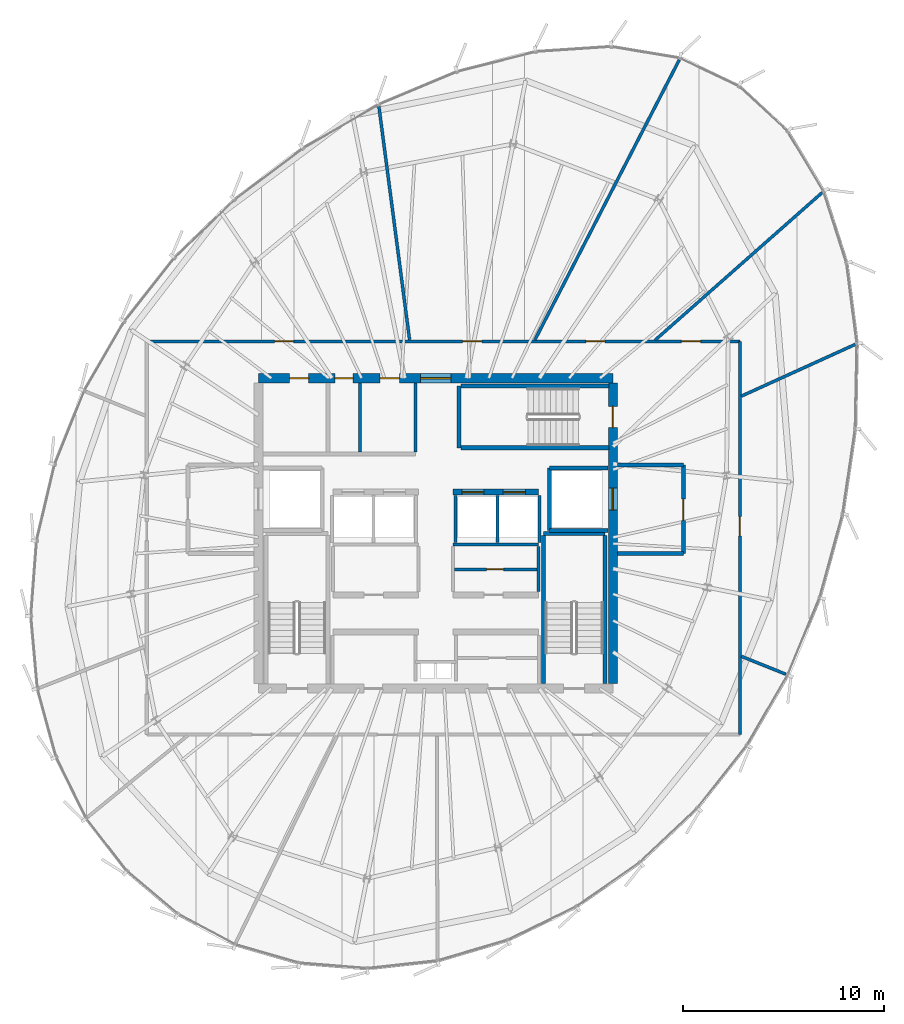
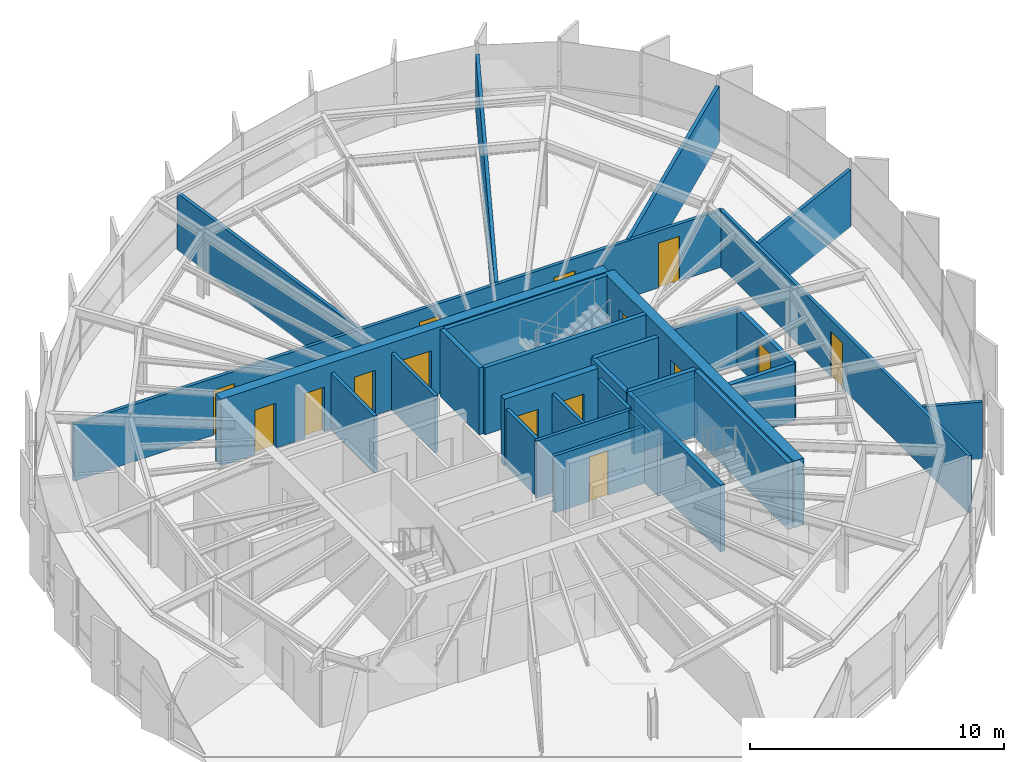
# One storey, part 29 of 34: 30 walls, 15 doors, 15 openings.
"""IFC4 building model written with IfcOpenShell, lengths in metres."""

import ifcopenshell
import ifcopenshell.guid

model = None  # the IFC model being written
_history = None  # IfcOwnerHistory: only IFC2X3 demands one
_inside = {}  # id of a spatial element -> (the spatial element, [elements in it])
_under = {}  # id of a project, library or spatial element -> (it, [spatial elements below it])
_declared = {}  # id of a project -> (the project, [libraries it declares])
_typed = {}  # id of a type object -> (the type object, [elements of that type])
_made_of = {}  # id of a material, layer set ... -> (it, [elements and type objects made of it])


def new_model(schema):
    """Start an empty IFC model of exactly this schema.

    Asked for "IFC4X3", IfcOpenShell would pick the latest addendum, in which some entities
    have other attributes; the version numbers below select the first issue.
    IFC2X3 requires an IfcOwnerHistory on every rooted entity: one is made here for all.
    """
    global model, _history
    if schema == "IFC4X3":
        model = ifcopenshell.file(schema_version=(4, 3, 0, 0))
    else:
        model = ifcopenshell.file(schema=schema)
    _inside.clear()
    _under.clear()
    _declared.clear()
    _typed.clear()
    _made_of.clear()
    _history = None
    if model.schema == "IFC2X3":
        org = make("IfcOrganization", Name="unknown")
        user = make(
            "IfcPersonAndOrganization",
            ThePerson=make("IfcPerson", FamilyName="unknown"),
            TheOrganization=org,
        )
        app = make(
            "IfcApplication",
            ApplicationDeveloper=org,
            Version="unknown",
            ApplicationFullName="unknown",
            ApplicationIdentifier="unknown",
        )
        _history = make(
            "IfcOwnerHistory",
            OwningUser=user,
            OwningApplication=app,
            ChangeAction="ADDED",
            CreationDate=0,
        )
    return model


def make(cls, **values):
    """One entity of the class cls with the attributes given. An attribute that is None is left unset."""
    return model.create_entity(
        cls, **{name: value for name, value in values.items() if value is not None}
    )


def rooted(cls, **values):
    """An entity with a GlobalId (a new one), such as an element, a storey or a relation."""
    return make(cls, GlobalId=ifcopenshell.guid.new(), OwnerHistory=_history, **values)


def si_unit(unit_type, name, prefix=None):
    """IfcSIUnit, for example si_unit("LENGTHUNIT", "METRE", prefix="MILLI")."""
    return make("IfcSIUnit", UnitType=unit_type, Prefix=prefix, Name=name)


def assignment(units):
    """IfcUnitAssignment: the units of a project."""
    return None if units is None else make("IfcUnitAssignment", Units=units)


def point(xyz):
    """IfcCartesianPoint."""
    return None if xyz is None else make("IfcCartesianPoint", Coordinates=xyz)


def direction(xyz):
    """IfcDirection."""
    return None if xyz is None else make("IfcDirection", DirectionRatios=xyz)


def frame(location, z_axis=None, x_axis=None):
    """IfcAxis2Placement3D, a coordinate frame: its origin and axes. An axis left out is left unset."""
    return make(
        "IfcAxis2Placement3D",
        Location=point(location),
        Axis=direction(z_axis),
        RefDirection=direction(x_axis),
    )


def frame_2d(location, x_axis=None):
    """IfcAxis2Placement2D, a coordinate frame in the plane: its origin and x axis."""
    return make(
        "IfcAxis2Placement2D", Location=point(location), RefDirection=direction(x_axis)
    )


def origin():
    """The frame at (0, 0, 0) with its axes left unset."""
    return frame((0.0, 0.0, 0.0))


def place(relative_to, where):
    """IfcLocalPlacement: puts the frame where relative to a parent placement (None: the world)."""
    return make(
        "IfcLocalPlacement", PlacementRelTo=relative_to, RelativePlacement=where
    )


def context(
    kind, dimensions, precision=None, world=None, true_north=None, identifier=None
):
    """IfcGeometricRepresentationContext, for example the 3D "Model" context."""
    return make(
        "IfcGeometricRepresentationContext",
        ContextIdentifier=identifier,
        ContextType=kind,
        CoordinateSpaceDimension=dimensions,
        Precision=precision,
        WorldCoordinateSystem=world,
        TrueNorth=true_north,
    )


def subcontext(parent, identifier, kind, view, scale=None):
    """IfcGeometricRepresentationSubContext, for example "Body" below "Model"."""
    return make(
        "IfcGeometricRepresentationSubContext",
        ContextIdentifier=identifier,
        ContextType=kind,
        ParentContext=parent,
        TargetScale=scale,
        TargetView=view,
    )


def project(units=None, contexts=None):
    """IfcProject with its units and contexts."""
    return rooted(
        "IfcProject",
        Name="project",
        RepresentationContexts=contexts,
        UnitsInContext=assignment(units),
    )


def spatial(cls, under=None, at=None, **own):
    """A site, building, storey or space (cls), placed at a placement, below another one or the project."""
    s = rooted(cls, ObjectPlacement=at, **own)
    if under is not None:
        _under.setdefault(under.id(), (under, []))[1].append(s)
    return s


def profile(cls, at=None, kind="AREA", **sizes):
    """A parametric profile (cls). Its sizes go by their IFC names, for example OverallWidth=200.0."""
    return make(cls, ProfileType=kind, Position=at, **sizes)


def rectangle(**sizes):
    """IfcRectangleProfileDef."""
    return profile("IfcRectangleProfileDef", **sizes)


def extrude(swept, where, along, depth):
    """IfcExtrudedAreaSolid: the profile swept, set in the frame where, extruded along a direction by depth."""
    return make(
        "IfcExtrudedAreaSolid",
        SweptArea=swept,
        Position=where,
        ExtrudedDirection=direction(along),
        Depth=depth,
    )


def shape(context_of_items, identifier, shape_type, items):
    """IfcShapeRepresentation: the items that make up one representation, for example the "Body"."""
    return make(
        "IfcShapeRepresentation",
        ContextOfItems=context_of_items,
        RepresentationIdentifier=identifier,
        RepresentationType=shape_type,
        Items=items,
    )


def source(mapping_origin, context_of_items, identifier, shape_type, items):
    """IfcRepresentationMap: a shape defined once, which mapped items show again and again."""
    return make(
        "IfcRepresentationMap",
        MappingOrigin=mapping_origin,
        MappedRepresentation=shape(context_of_items, identifier, shape_type, items),
    )


def transform(
    local_origin,
    x_axis=None,
    y_axis=None,
    z_axis=None,
    scale=None,
    scale2=None,
    scale3=None,
    uniform=True,
):
    """IfcCartesianTransformationOperator3D, or its non-uniform kind. x_axis, y_axis, z_axis: its Axis1, 2, 3."""
    if uniform:
        return make(
            "IfcCartesianTransformationOperator3D",
            Axis1=direction(x_axis),
            Axis2=direction(y_axis),
            LocalOrigin=point(local_origin),
            Scale=scale,
            Axis3=direction(z_axis),
        )
    return make(
        "IfcCartesianTransformationOperator3DnonUniform",
        Axis1=direction(x_axis),
        Axis2=direction(y_axis),
        LocalOrigin=point(local_origin),
        Scale=scale,
        Axis3=direction(z_axis),
        Scale2=scale2,
        Scale3=scale3,
    )


def mapped(mapping_source, mapping_target):
    """IfcMappedItem: shows the shape of a source again, moved by a transform."""
    return make(
        "IfcMappedItem", MappingSource=mapping_source, MappingTarget=mapping_target
    )


def material(Name=None, Category=None):
    """IfcMaterial."""
    return make("IfcMaterial", Name=Name, Category=Category)


def layer(
    of_material, thickness, ventilated=None, Name=None, Category=None, Priority=None
):
    """IfcMaterialLayer: one layer of a wall or slab, of a material (None: an air gap)."""
    return make(
        "IfcMaterialLayer",
        Material=of_material,
        LayerThickness=thickness,
        IsVentilated=ventilated,
        Name=Name,
        Category=Category,
        Priority=Priority,
    )


def layer_set(layers, Name=None):
    """IfcMaterialLayerSet."""
    return make("IfcMaterialLayerSet", MaterialLayers=layers, LayerSetName=Name)


def made_of(thing, what):
    """Note that an element or type object is made of a material, layer set ...; save() writes the relation."""
    if what is not None:
        _made_of.setdefault(what.id(), (what, []))[1].append(thing)
    return thing


def type_object(cls, material=None, **own):
    """A type object (cls), such as IfcWallType, which elements share."""
    return made_of(rooted(cls, **own), material)


def element(
    cls,
    number,
    at=None,
    inside=None,
    cuts=None,
    type_object=None,
    material=None,
    context=None,
    identifier="Body",
    shape_type=None,
    held_by="IfcProductDefinitionShape",
    body=None,
    shapes=None,
    **own,
):
    """One element of the class cls, such as IfcWall. Its Tag is "e" and its number.

    at: its placement. inside: the storey or other place that contains it. cuts: it is an
    opening in that element (IfcRelVoidsElement). A single representation is given by context,
    identifier, shape_type and body (its items); several are given by shapes. held_by: the class
    of the entity that holds the representations. save() writes the other relations.
    """
    e = rooted(cls, Tag="e%d" % number, ObjectPlacement=at, **own)
    if body is not None:
        shapes = [shape(context, identifier, shape_type, body)]
    if shapes is not None:
        e.Representation = make(held_by, Representations=shapes)
    if inside is not None:
        _inside.setdefault(inside.id(), (inside, []))[1].append(e)
    if cuts is not None:
        rooted(
            "IfcRelVoidsElement", RelatingBuildingElement=cuts, RelatedOpeningElement=e
        )
    if type_object is not None:
        _typed.setdefault(type_object.id(), (type_object, []))[1].append(e)
    return made_of(e, material)


def fill(opening, filler):
    """IfcRelFillsElement: the door or window that sits in an opening."""
    return rooted(
        "IfcRelFillsElement",
        RelatingOpeningElement=opening,
        RelatedBuildingElement=filler,
    )


def aggregate(whole, parts):
    """IfcRelAggregates: a whole, such as a stair, and the parts it consists of."""
    return rooted("IfcRelAggregates", RelatingObject=whole, RelatedObjects=parts)


def save(model, path):
    """Write the relations noted so far, then the file.

    IfcRelAggregates (storeys below a building ...), IfcRelContainedInSpatialStructure (elements
    in a storey), IfcRelDefinesByType, IfcRelAssociatesMaterial and IfcRelDeclares: one each for
    every whole, place, type object, material and project.
    """
    for whole, parts in _under.values():
        aggregate(whole, parts)
    for where, things in _inside.values():
        rooted(
            "IfcRelContainedInSpatialStructure",
            RelatedElements=things,
            RelatingStructure=where,
        )
    for kind, things in _typed.values():
        rooted("IfcRelDefinesByType", RelatedObjects=things, RelatingType=kind)
    for what, things in _made_of.values():
        rooted("IfcRelAssociatesMaterial", RelatedObjects=things, RelatingMaterial=what)
    for by, libraries in _declared.values():
        rooted("IfcRelDeclares", RelatingContext=by, RelatedDefinitions=libraries)
    model.write(path)


model = new_model("IFC4")

# Units and contexts
model_context = context("Model", 3, precision=1e-05, world=origin(), true_north=direction((0.0, 1.0)))
body_context = subcontext(model_context, "Body", "Model", "MODEL_VIEW")
ifc_project = project(units=[si_unit("LENGTHUNIT", "METRE"), si_unit("AREAUNIT", "SQUARE_METRE"), si_unit("VOLUMEUNIT", "CUBIC_METRE"), si_unit("PLANEANGLEUNIT", "RADIAN"), si_unit("MASSUNIT", "GRAM", prefix="KILO"), si_unit("THERMODYNAMICTEMPERATUREUNIT", "KELVIN")], contexts=[model_context])

# Site, building, storey
site_placement = place(None, origin())
site = spatial("IfcSite", under=ifc_project, at=site_placement, CompositionType="ELEMENT")
building_placement = place(site_placement, origin())
building = spatial("IfcBuilding", under=site, at=building_placement, Name="Kethvar Cultural Tower", CompositionType="ELEMENT")
storey_placement = place(building_placement, frame((0.0, 0.0, 259.449951171875)))
storey = spatial("IfcBuildingStorey", under=building, at=storey_placement, Name="L68", CompositionType="ELEMENT", Elevation=259.449951171875)

# Wall, openings, doors
ifc_material_1 = material(Name="Concrete C50/60", Category="concrete")
ifc_layer_1 = layer(ifc_material_1, 0.449951171875, Name="Concrete C50/60", Category="concrete")
ifc_layer_set_1 = layer_set([ifc_layer_1], Name="Concrete C50/60 (450 mm)")
wall_type_1 = type_object("IfcWallType", Name="WL-CORE-450", PredefinedType="SHEAR", material=ifc_layer_set_1)
wall_1_placement = place(storey_placement, frame((55.60009765625, 35.5, 0.0), z_axis=(0.0, 0.0, 1.0), x_axis=(-1.0, 0.0, 0.0)))
wall_1 = element("IfcWall", 1, at=wall_1_placement, inside=storey, type_object=wall_type_1, Name="L68 Core Shear Wall N", PredefinedType="SHEAR", context=body_context, shape_type="SweptSolid", body=[
    extrude(rectangle(XDim=17.60009765625, YDim=0.449951171875, at=frame_2d((8.800048828125, 0.0))), origin(), (0.0, 0.0, 1.0), 3.2099609375),
])
opening_1_placement = place(wall_1_placement, frame((8.050048828125, 0.0, 0.0)))
opening_1 = element("IfcOpeningElement", 2, at=opening_1_placement, cuts=wall_1, Name="Opening D-L68-LN", PredefinedType="OPENING", context=body_context, shape_type="SweptSolid", body=[
    extrude(rectangle(XDim=1.5, YDim=2.199951171875, at=frame_2d((0.75, 1.10009765625))), frame((0.0, 0.23486328125, 0.0), z_axis=(0.0, -1.0, 0.0), x_axis=(1.0, 0.0, 0.0)), (0.0, 0.0, 1.0), 0.469970703125),
])
opening_2_placement = place(wall_1_placement, frame((15.10009765625, 0.0, 0.0)))
opening_2 = element("IfcOpeningElement", 3, at=opening_2_placement, cuts=wall_1, Name="Opening D-L68-E1", PredefinedType="OPENING", context=body_context, shape_type="SweptSolid", body=[
    extrude(rectangle(XDim=0.949951171875, YDim=2.14990234375, at=frame_2d((0.47509765625, 1.074951171875))), frame((0.0, 0.23486328125, 0.0), z_axis=(0.0, -1.0, 0.0), x_axis=(1.0, 0.0, 0.0)), (0.0, 0.0, 1.0), 0.469970703125),
])
opening_3_placement = place(wall_1_placement, frame((12.89990234375, 0.0, 0.0)))
opening_3 = element("IfcOpeningElement", 4, at=opening_3_placement, cuts=wall_1, Name="Opening D-L68-W1", PredefinedType="OPENING", context=body_context, shape_type="SweptSolid", body=[
    extrude(rectangle(XDim=0.89990234375, YDim=2.14990234375, at=frame_2d((0.449951171875, 1.074951171875))), frame((0.0, 0.23486328125, 0.0), z_axis=(0.0, -1.0, 0.0), x_axis=(1.0, 0.0, 0.0)), (0.0, 0.0, 1.0), 0.469970703125),
])
opening_4_placement = place(wall_1_placement, frame((10.60009765625, 0.0, 0.0)))
opening_4 = element("IfcOpeningElement", 5, at=opening_4_placement, cuts=wall_1, Name="Opening D-L68-W2", PredefinedType="OPENING", context=body_context, shape_type="SweptSolid", body=[
    extrude(rectangle(XDim=0.949951171875, YDim=2.14990234375, at=frame_2d((0.47509765625, 1.074951171875))), frame((0.0, 0.23486328125, 0.0), z_axis=(0.0, -1.0, 0.0), x_axis=(1.0, 0.0, 0.0)), (0.0, 0.0, 1.0), 0.469970703125),
])
ifc_material_2 = material(Name="Architectural Oak Timber", Category="wood")
door_type_1 = type_object("IfcDoorType", Name="DR-DBL-FD60-1500", OperationType="DOUBLE_DOOR_SINGLE_SWING", PredefinedType="DOOR", material=ifc_material_2)
shared_shape_1 = source(origin(), body_context, "Body", "SweptSolid", [
    extrude(rectangle(XDim=1.5, YDim=2.199951171875, at=frame_2d((0.75, 1.10009765625))), frame((0.0, 0.02490234375, 0.0), z_axis=(0.0, -1.0, 0.0), x_axis=(1.0, 0.0, 0.0)), (0.0, 0.0, 1.0), 0.050048828125),
])
door_1_placement = place(opening_1_placement, origin())
door_1 = element("IfcDoor", 6, at=door_1_placement, inside=storey, type_object=door_type_1, Name="L68 Lift Lobby Concourse Door", OperationType="DOUBLE_DOOR_SINGLE_SWING", OverallHeight=2.199951171875, OverallWidth=1.5, PredefinedType="DOOR", context=body_context, shape_type="MappedRepresentation", body=[
    mapped(shared_shape_1, transform((0.0, 0.0, 0.0), scale=1.0)),
])
fill(opening_1, door_1)
door_type_2 = type_object("IfcDoorType", Name="DR-FD30-950", OperationType="NOTDEFINED", PredefinedType="DOOR", material=ifc_material_2)
shared_shape_2 = source(origin(), body_context, "Body", "SweptSolid", [
    extrude(rectangle(XDim=0.949951171875, YDim=2.14990234375, at=frame_2d((0.47509765625, 1.074951171875))), frame((0.0, 0.02490234375, 0.0), z_axis=(0.0, -1.0, 0.0), x_axis=(1.0, 0.0, 0.0)), (0.0, 0.0, 1.0), 0.050048828125),
])
door_2_placement = place(opening_2_placement, origin())
door_2 = element("IfcDoor", 7, at=door_2_placement, inside=storey, type_object=door_type_2, Name="L68 Electrical Switchgear Door", OperationType="SINGLE_SWING_RIGHT", OverallHeight=2.14990234375, OverallWidth=0.949951171875, PredefinedType="DOOR", context=body_context, shape_type="MappedRepresentation", body=[
    mapped(shared_shape_2, transform((0.0, 0.0, 0.0), scale=1.0)),
])
fill(opening_2, door_2)
door_3_placement = place(opening_4_placement, origin())
door_3 = element("IfcDoor", 8, at=door_3_placement, inside=storey, type_object=door_type_2, Name="L68 Public Washroom Door", OperationType="SINGLE_SWING_RIGHT", OverallHeight=2.14990234375, OverallWidth=0.949951171875, PredefinedType="DOOR", context=body_context, shape_type="MappedRepresentation", body=[
    mapped(shared_shape_2, transform((0.0, 0.0, 0.0), scale=1.0)),
])
fill(opening_4, door_3)
door_type_3 = type_object("IfcDoorType", Name="DR-FD30-900", OperationType="NOTDEFINED", PredefinedType="DOOR", material=ifc_material_2)
shared_shape_3 = source(origin(), body_context, "Body", "SweptSolid", [
    extrude(rectangle(XDim=0.89990234375, YDim=2.14990234375, at=frame_2d((0.449951171875, 1.074951171875))), frame((0.0, 0.02490234375, 0.0), z_axis=(0.0, -1.0, 0.0), x_axis=(1.0, 0.0, 0.0)), (0.0, 0.0, 1.0), 0.050048828125),
])
door_4_placement = place(opening_3_placement, origin())
door_4 = element("IfcDoor", 9, at=door_4_placement, inside=storey, type_object=door_type_3, Name="L68 Accessible Washroom Door", OperationType="SINGLE_SWING_LEFT", OverallHeight=2.14990234375, OverallWidth=0.89990234375, PredefinedType="DOOR", context=body_context, shape_type="MappedRepresentation", body=[
    mapped(shared_shape_3, transform((0.0, 0.0, 0.0), scale=1.0)),
])
fill(opening_3, door_4)

wall_2_placement = place(storey_placement, frame((55.60009765625, 20.340087890625, 0.0), z_axis=(0.0, 0.0, 1.0), x_axis=(0.0, 1.0, 0.0)))
wall_2 = element("IfcWall", 10, at=wall_2_placement, inside=storey, type_object=wall_type_1, Name="L68 Core Shear Wall E", PredefinedType="SHEAR", context=body_context, shape_type="SweptSolid", body=[
    extrude(rectangle(XDim=14.919921875, YDim=0.449951171875, at=frame_2d((7.4599609375, 0.0))), origin(), (0.0, 0.0, 1.0), 3.2099609375),
])
opening_5_placement = place(wall_2_placement, frame((12.7099609375, 0.0, 0.0)))
opening_5 = element("IfcOpeningElement", 11, at=opening_5_placement, cuts=wall_2, Name="Opening D-L68-S3", PredefinedType="OPENING", context=body_context, shape_type="SweptSolid", body=[
    extrude(rectangle(XDim=1.050048828125, YDim=2.14990234375, at=frame_2d((0.52490234375, 1.074951171875))), frame((0.0, 0.23486328125, 0.0), z_axis=(0.0, -1.0, 0.0), x_axis=(1.0, 0.0, 0.0)), (0.0, 0.0, 1.0), 0.469970703125),
])
opening_6_placement = place(wall_2_placement, frame((8.610107421875, 0.0, 0.0)))
opening_6 = element("IfcOpeningElement", 12, at=opening_6_placement, cuts=wall_2, Name="Opening LD-2", PredefinedType="OPENING", context=body_context, shape_type="SweptSolid", body=[
    extrude(rectangle(XDim=1.10009765625, YDim=2.199951171875, at=frame_2d((0.550048828125, 1.10009765625))), frame((0.0, 0.23486328125, 0.0), z_axis=(0.0, -1.0, 0.0), x_axis=(1.0, 0.0, 0.0)), (0.0, 0.0, 1.0), 0.469970703125),
])
ifc_material_3 = material(Name="Steel S355J2", Category="steel")
door_type_4 = type_object("IfcDoorType", Name="DR-FD60-1050", OperationType="NOTDEFINED", PredefinedType="DOOR", material=ifc_material_3)
shared_shape_4 = source(origin(), body_context, "Body", "SweptSolid", [
    extrude(rectangle(XDim=1.050048828125, YDim=2.14990234375, at=frame_2d((0.52490234375, 1.074951171875))), frame((0.0, 0.02490234375, 0.0), z_axis=(0.0, -1.0, 0.0), x_axis=(1.0, 0.0, 0.0)), (0.0, 0.0, 1.0), 0.050048828125),
])
door_5_placement = place(opening_5_placement, origin())
door_5 = element("IfcDoor", 13, at=door_5_placement, inside=storey, type_object=door_type_4, Name="L68 Exit Stair 3 Door", OperationType="SINGLE_SWING_LEFT", OverallHeight=2.14990234375, OverallWidth=1.050048828125, PredefinedType="DOOR", context=body_context, shape_type="MappedRepresentation", body=[
    mapped(shared_shape_4, transform((0.0, 0.0, 0.0), scale=1.0)),
])
fill(opening_5, door_5)
door_type_5 = type_object("IfcDoorType", Name="DR-LIFT-SLIDE-1100", OperationType="NOTDEFINED", PredefinedType="DOOR", material=ifc_material_3)
shared_shape_5 = source(origin(), body_context, "Body", "SweptSolid", [
    extrude(rectangle(XDim=1.10009765625, YDim=2.199951171875, at=frame_2d((0.550048828125, 1.10009765625))), frame((0.0, 0.02490234375, 0.0), z_axis=(0.0, -1.0, 0.0), x_axis=(1.0, 0.0, 0.0)), (0.0, 0.0, 1.0), 0.050048828125),
])
door_6_placement = place(opening_6_placement, origin())
door_6 = element("IfcDoor", 14, at=door_6_placement, inside=storey, type_object=door_type_5, Name="L68 Firefighting Lift Landing Door FFL-02", OperationType="SLIDING_TO_RIGHT", OverallHeight=2.199951171875, OverallWidth=1.10009765625, PredefinedType="DOOR", context=body_context, shape_type="MappedRepresentation", body=[
    mapped(shared_shape_5, transform((0.0, 0.0, 0.0), scale=1.0)),
])
fill(opening_6, door_6)

# Walls
ifc_material_4 = material(Name="Gypsum Fireboard Partition")
ifc_layer_2 = layer(ifc_material_4, 0.14990234375, Name="Gypsum Fireboard Partition")
ifc_layer_set_2 = layer_set([ifc_layer_2], Name="Gypsum Fireboard Partition (150 mm)")
wall_type_2 = type_object("IfcWallType", Name="WL-FIRE-150", PredefinedType="PARTITIONING", material=ifc_layer_set_2)
wall_3_placement = place(storey_placement, frame((47.64990234375, 27.25, 0.0), z_axis=(0.0, 0.0, 1.0), x_axis=(1.0, 0.0, 0.0)))
element("IfcWall", 15, at=wall_3_placement, inside=storey, type_object=wall_type_2, Name="L68 Reclaimed Mid Wall E", PredefinedType="PARTITIONING", context=body_context, shape_type="SweptSolid", body=[
    extrude(rectangle(XDim=4.25, YDim=0.14990234375, at=frame_2d((2.125, 0.0))), origin(), (0.0, 0.0, 1.0), 2.735107421875),
])
wall_4_placement = place(storey_placement, frame((51.89990234375, 24.919921875, 0.0), z_axis=(0.0, 0.0, 1.0), x_axis=(0.0, 1.0, 0.0)))
element("IfcWall", 16, at=wall_4_placement, inside=storey, type_object=wall_type_2, Name="L68 Reclaimed Mid Outer E", PredefinedType="PARTITIONING", context=body_context, shape_type="SweptSolid", body=[
    extrude(rectangle(XDim=2.239990234375, YDim=0.14990234375, at=frame_2d((1.1201171875, 0.0))), origin(), (0.0, 0.0, 1.0), 2.735107421875),
])

# Wall, opening, door
wall_5_placement = place(storey_placement, frame((47.72998046875, 26.010009765625, 0.0), z_axis=(0.0, 0.0, 1.0), x_axis=(1.0, 0.0, 0.0)))
wall_5 = element("IfcWall", 17, at=wall_5_placement, inside=storey, type_object=wall_type_2, Name="L68 Mid Gallery Wall E", PredefinedType="PARTITIONING", context=body_context, shape_type="SweptSolid", body=[
    extrude(rectangle(XDim=4.090087890625, YDim=0.14990234375, at=frame_2d((2.044921875, 0.0))), origin(), (0.0, 0.0, 1.0), 2.735107421875),
])
opening_7_placement = place(wall_5_placement, frame((1.60009765625, 0.0, 0.0)))
opening_7 = element("IfcOpeningElement", 18, at=opening_7_placement, cuts=wall_5, Name="Opening D-L68-M3", PredefinedType="OPENING", context=body_context, shape_type="SweptSolid", body=[
    extrude(rectangle(XDim=0.85009765625, YDim=2.14990234375, at=frame_2d((0.425048828125, 1.074951171875))), frame((0.0, 0.0849609375, 0.0), z_axis=(0.0, -1.0, 0.0), x_axis=(1.0, 0.0, 0.0)), (0.0, 0.0, 1.0), 0.169921875),
])
door_type_6 = type_object("IfcDoorType", Name="DR-FD30-850", OperationType="NOTDEFINED", PredefinedType="DOOR", material=ifc_material_3)
shared_shape_6 = source(origin(), body_context, "Body", "SweptSolid", [
    extrude(rectangle(XDim=0.85009765625, YDim=2.14990234375, at=frame_2d((0.425048828125, 1.074951171875))), frame((0.0, 0.02490234375, 0.0), z_axis=(0.0, -1.0, 0.0), x_axis=(1.0, 0.0, 0.0)), (0.0, 0.0, 1.0), 0.050048828125),
])
door_7_placement = place(opening_7_placement, origin())
door_7 = element("IfcDoor", 19, at=door_7_placement, inside=storey, type_object=door_type_6, Name="L68 UPS Inner Door", OperationType="SINGLE_SWING_RIGHT", OverallHeight=2.14990234375, OverallWidth=0.85009765625, PredefinedType="DOOR", context=body_context, shape_type="MappedRepresentation", body=[
    mapped(shared_shape_6, transform((0.0, 0.0, 0.0), scale=1.0)),
])
fill(opening_7, door_7)

# Walls
for number, where, z_axis, x_axis, name in (
    (20, (47.77490234375, 27.340087890625, 0.0), (0.0, 0.0, 1.0), (0.0, 1.0, 0.0), "L68 High-Rise Lift Shaft Concourse Wall E"),
    (21, (49.875, 27.340087890625, 0.0), (0.0, 0.0, 1.0), (0.0, 1.0, 0.0), "L68 High-Rise Lift Shaft Divider E"),
    (22, (51.949951171875, 27.340087890625, 0.0), (0.0, 0.0, 1.0), (0.0, 1.0, 0.0), "L68 High-Rise Lift Shaft Outer Wall E"),
):
    element("IfcWall", number, at=place(storey_placement, frame(where, z_axis=z_axis, x_axis=x_axis)), inside=storey, type_object=wall_type_2, Name=name, PredefinedType="PARTITIONING", context=body_context, shape_type="SweptSolid", body=[
        extrude(rectangle(XDim=2.33984375, YDim=0.14990234375, at=frame_2d((1.169921875, 0.0))), origin(), (0.0, 0.0, 1.0), 2.735107421875),
    ])
wall_6_placement = place(storey_placement, frame((45.800048828125, 31.85009765625, 0.0), z_axis=(0.0, 0.0, 1.0), x_axis=(0.0, 1.0, 0.0)))
element("IfcWall", 23, at=wall_6_placement, inside=storey, type_object=wall_type_2, Name="L68 Sanitary Spine Wall", PredefinedType="PARTITIONING", context=body_context, shape_type="SweptSolid", body=[
    extrude(rectangle(XDim=3.414794921875, YDim=0.14990234375, at=frame_2d((1.70751953125, 0.0))), origin(), (0.0, 0.0, 1.0), 2.735107421875),
])

# Wall, opening, door
wall_7_placement = place(storey_placement, frame((61.902099609375, 17.806884765625, 0.0), z_axis=(0.0, 0.0, 1.0), x_axis=(0.0, 1.0, 0.0)))
wall_7 = element("IfcWall", 24, at=wall_7_placement, inside=storey, type_object=wall_type_2, Name="L68 Corridor Rated Wall E", PredefinedType="PARTITIONING", context=body_context, shape_type="SweptSolid", body=[
    extrude(rectangle(XDim=19.524169921875, YDim=0.14990234375, at=frame_2d((9.76220703125, 0.0))), origin(), (0.0, 0.0, 1.0), 2.735107421875),
])
opening_8_placement = place(wall_7_placement, frame((9.872802734375, 0.0, 0.0)))
opening_8 = element("IfcOpeningElement", 25, at=opening_8_placement, cuts=wall_7, Name="Opening D-L68-05", PredefinedType="OPENING", context=body_context, shape_type="SweptSolid", body=[
    extrude(rectangle(XDim=0.949951171875, YDim=2.14990234375, at=frame_2d((0.47509765625, 1.074951171875))), frame((0.0, 0.0849609375, 0.0), z_axis=(0.0, -1.0, 0.0), x_axis=(1.0, 0.0, 0.0)), (0.0, 0.0, 1.0), 0.169921875),
])
door_8_placement = place(opening_8_placement, origin())
door_8 = element("IfcDoor", 26, at=door_8_placement, inside=storey, type_object=door_type_2, Name="L68 Panoramic Reading Lounge 05 Door", OperationType="SINGLE_SWING_LEFT", OverallHeight=2.14990234375, OverallWidth=0.949951171875, PredefinedType="DOOR", context=body_context, shape_type="MappedRepresentation", body=[
    mapped(shared_shape_2, transform((0.0, 0.0, 0.0), scale=1.0)),
])
fill(opening_8, door_8)

# Wall, openings, doors
wall_8_placement = place(storey_placement, frame((61.902099609375, 37.3310546875, 0.0), z_axis=(0.0, 0.0, 1.0), x_axis=(-1.0, 0.0, 0.0)))
wall_8 = element("IfcWall", 27, at=wall_8_placement, inside=storey, type_object=wall_type_2, Name="L68 Corridor Rated Wall N", PredefinedType="PARTITIONING", context=body_context, shape_type="SweptSolid", body=[
    extrude(rectangle(XDim=29.442138671875, YDim=0.14990234375, at=frame_2d((14.72119140625, 0.0))), origin(), (0.0, 0.0, 1.0), 2.735107421875),
])
opening_9_placement = place(wall_8_placement, frame((1.95361328125, 0.0, 0.0)))
opening_9 = element("IfcOpeningElement", 28, at=opening_9_placement, cuts=wall_8, Name="Opening D-L68-06", PredefinedType="OPENING", context=body_context, shape_type="SweptSolid", body=[
    extrude(rectangle(XDim=0.949951171875, YDim=2.14990234375, at=frame_2d((0.47509765625, 1.074951171875))), frame((0.0, 0.0849609375, 0.0), z_axis=(0.0, -1.0, 0.0), x_axis=(1.0, 0.0, 0.0)), (0.0, 0.0, 1.0), 0.169921875),
])
opening_10_placement = place(wall_8_placement, frame((6.69775390625, 0.0, 0.0)))
opening_10 = element("IfcOpeningElement", 29, at=opening_10_placement, cuts=wall_8, Name="Opening D-L68-07", PredefinedType="OPENING", context=body_context, shape_type="SweptSolid", body=[
    extrude(rectangle(XDim=0.949951171875, YDim=2.14990234375, at=frame_2d((0.47509765625, 1.074951171875))), frame((0.0, 0.0849609375, 0.0), z_axis=(0.0, -1.0, 0.0), x_axis=(1.0, 0.0, 0.0)), (0.0, 0.0, 1.0), 0.169921875),
])
opening_11_placement = place(wall_8_placement, frame((12.807861328125, 0.0, 0.0)))
opening_11 = element("IfcOpeningElement", 30, at=opening_11_placement, cuts=wall_8, Name="Opening D-L68-08", PredefinedType="OPENING", context=body_context, shape_type="SweptSolid", body=[
    extrude(rectangle(XDim=0.949951171875, YDim=2.14990234375, at=frame_2d((0.47509765625, 1.074951171875))), frame((0.0, 0.0849609375, 0.0), z_axis=(0.0, -1.0, 0.0), x_axis=(1.0, 0.0, 0.0)), (0.0, 0.0, 1.0), 0.169921875),
])
opening_12_placement = place(wall_8_placement, frame((22.14892578125, 0.0, 0.0)))
opening_12 = element("IfcOpeningElement", 31, at=opening_12_placement, cuts=wall_8, Name="Opening D-L68-09", PredefinedType="OPENING", context=body_context, shape_type="SweptSolid", body=[
    extrude(rectangle(XDim=0.949951171875, YDim=2.14990234375, at=frame_2d((0.47509765625, 1.074951171875))), frame((0.0, 0.0849609375, 0.0), z_axis=(0.0, -1.0, 0.0), x_axis=(1.0, 0.0, 0.0)), (0.0, 0.0, 1.0), 0.169921875),
])
door_9_placement = place(opening_9_placement, origin())
door_9 = element("IfcDoor", 32, at=door_9_placement, inside=storey, type_object=door_type_2, Name="L68 Cultural Lecture Room 06 Door", OperationType="SINGLE_SWING_RIGHT", OverallHeight=2.14990234375, OverallWidth=0.949951171875, PredefinedType="DOOR", context=body_context, shape_type="MappedRepresentation", body=[
    mapped(shared_shape_2, transform((0.0, 0.0, 0.0), scale=1.0)),
])
fill(opening_9, door_9)
door_10_placement = place(opening_10_placement, origin())
door_10 = element("IfcDoor", 33, at=door_10_placement, inside=storey, type_object=door_type_2, Name="L68 Publication Archive Store 07 Door", OperationType="SINGLE_SWING_LEFT", OverallHeight=2.14990234375, OverallWidth=0.949951171875, PredefinedType="DOOR", context=body_context, shape_type="MappedRepresentation", body=[
    mapped(shared_shape_2, transform((0.0, 0.0, 0.0), scale=1.0)),
])
fill(opening_10, door_10)
door_11_placement = place(opening_11_placement, origin())
door_11 = element("IfcDoor", 34, at=door_11_placement, inside=storey, type_object=door_type_2, Name="L68 Laboratory Tea Pantry 08 Door", OperationType="SINGLE_SWING_RIGHT", OverallHeight=2.14990234375, OverallWidth=0.949951171875, PredefinedType="DOOR", context=body_context, shape_type="MappedRepresentation", body=[
    mapped(shared_shape_2, transform((0.0, 0.0, 0.0), scale=1.0)),
])
fill(opening_11, door_11)
door_12_placement = place(opening_12_placement, origin())
door_12 = element("IfcDoor", 35, at=door_12_placement, inside=storey, type_object=door_type_2, Name="L68 First Aid Room 09 Door", OperationType="SINGLE_SWING_LEFT", OverallHeight=2.14990234375, OverallWidth=0.949951171875, PredefinedType="DOOR", context=body_context, shape_type="MappedRepresentation", body=[
    mapped(shared_shape_2, transform((0.0, 0.0, 0.0), scale=1.0)),
])
fill(opening_12, door_12)

# Walls
ifc_material_5 = material(Name="Concrete C40/50", Category="concrete")
ifc_layer_3 = layer(ifc_material_5, 0.199951171875, Name="Concrete C40/50", Category="concrete")
ifc_layer_set_3 = layer_set([ifc_layer_3], Name="Concrete C40/50 (200 mm)")
wall_type_3 = type_object("IfcWallType", Name="WL-FIRE-200", PredefinedType="PARTITIONING", material=ifc_layer_set_3)
wall_9_placement = place(storey_placement, frame((52.449951171875, 27.949951171875, 0.0), z_axis=(0.0, 0.0, 1.0), x_axis=(0.0, 1.0, 0.0)))
element("IfcWall", 36, at=wall_9_placement, inside=storey, type_object=wall_type_3, Name="L68 FFL-02 Shaft Inner Wall", PredefinedType="PARTITIONING", context=body_context, shape_type="SweptSolid", body=[
    extrude(rectangle(XDim=3.10009765625, YDim=0.199951171875, at=frame_2d((1.550048828125, 0.0))), origin(), (0.0, 0.0, 1.0), 2.735107421875),
])
for number, where, z_axis, x_axis, name in (
    (37, (52.449951171875, 27.949951171875, 0.0), (0.0, 0.0, 1.0), (1.0, 0.0, 0.0), "L68 FFL-02 Shaft South Wall"),
    (38, (52.449951171875, 31.050048828125, 0.0), (0.0, 0.0, 1.0), (1.0, 0.0, 0.0), "L68 FFL-02 Shaft North Wall"),
):
    element("IfcWall", number, at=place(storey_placement, frame(where, z_axis=z_axis, x_axis=x_axis)), inside=storey, type_object=wall_type_3, Name=name, PredefinedType="PARTITIONING", context=body_context, shape_type="SweptSolid", body=[
        extrude(rectangle(XDim=2.9150390625, YDim=0.199951171875, at=frame_2d((1.45751953125, 0.0))), origin(), (0.0, 0.0, 1.0), 2.735107421875),
    ])

# Wall, opening, door
wall_10_placement = place(storey_placement, frame((59.10009765625, 26.800048828125, 0.0), z_axis=(0.0, 0.0, 1.0), x_axis=(0.0, 1.0, 0.0)))
wall_10 = element("IfcWall", 39, at=wall_10_placement, inside=storey, type_object=wall_type_3, Name="L68 Firefighting Lobby 2 Wall", PredefinedType="PARTITIONING", context=body_context, shape_type="SweptSolid", body=[
    extrude(rectangle(XDim=4.39990234375, YDim=0.199951171875, at=frame_2d((2.199951171875, 0.0))), origin(), (0.0, 0.0, 1.0), 2.735107421875),
])
opening_13_placement = place(wall_10_placement, frame((1.64990234375, 0.0, 0.0)))
opening_13 = element("IfcOpeningElement", 40, at=opening_13_placement, cuts=wall_10, Name="Opening D-L68-F2", PredefinedType="OPENING", context=body_context, shape_type="SweptSolid", body=[
    extrude(rectangle(XDim=1.050048828125, YDim=2.14990234375, at=frame_2d((0.52490234375, 1.074951171875))), frame((0.0, 0.10986328125, 0.0), z_axis=(0.0, -1.0, 0.0), x_axis=(1.0, 0.0, 0.0)), (0.0, 0.0, 1.0), 0.219970703125),
])
door_13_placement = place(opening_13_placement, origin())
door_13 = element("IfcDoor", 41, at=door_13_placement, inside=storey, type_object=door_type_4, Name="L68 Firefighting Lobby 2 Fire Door", OperationType="SINGLE_SWING_LEFT", OverallHeight=2.14990234375, OverallWidth=1.050048828125, PredefinedType="DOOR", context=body_context, shape_type="MappedRepresentation", body=[
    mapped(shared_shape_4, transform((0.0, 0.0, 0.0), scale=1.0)),
])
fill(opening_13, door_13)

# Walls
for number, where, z_axis, x_axis, name in (
    (42, (55.8349609375, 26.800048828125, 0.0), (0.0, 0.0, 1.0), (1.0, 0.0, 0.0), "L68 FF Lobby 2 South Wall"),
    (43, (55.8349609375, 31.199951171875, 0.0), (0.0, 0.0, 1.0), (1.0, 0.0, 0.0), "L68 FF Lobby 2 North Wall"),
):
    element("IfcWall", number, at=place(storey_placement, frame(where, z_axis=z_axis, x_axis=x_axis)), inside=storey, type_object=wall_type_3, Name=name, PredefinedType="PARTITIONING", context=body_context, shape_type="SweptSolid", body=[
        extrude(rectangle(XDim=3.26513671875, YDim=0.199951171875, at=frame_2d((1.632568359375, 0.0))), origin(), (0.0, 0.0, 1.0), 2.735107421875),
    ])
ifc_material_6 = material(Name="Gypsum Acoustic Partition")
ifc_layer_4 = layer(ifc_material_6, 0.14990234375, Name="Gypsum Acoustic Partition")
ifc_layer_set_4 = layer_set([ifc_layer_4], Name="Gypsum Acoustic Partition (150 mm)")
wall_type_4 = type_object("IfcWallType", Name="WL-PART-150", PredefinedType="PARTITIONING", material=ifc_layer_set_4)
wall_11_placement = place(storey_placement, frame((61.976318359375, 21.6953125, 0.0), z_axis=(0.0, 0.0, 1.0), x_axis=(0.927896312923, -0.37283834629, 0.0)))
element("IfcWall", 44, at=wall_11_placement, inside=storey, type_object=wall_type_4, Name="L68 Radial Partition Wall 05", PredefinedType="PARTITIONING", context=body_context, shape_type="SweptSolid", body=[
    extrude(rectangle(XDim=2.383544921875, YDim=0.14990234375, at=frame_2d((1.19189453125, 0.0))), origin(), (0.0, 0.0, 1.0), 2.735107421875),
])
wall_12_placement = place(storey_placement, frame((61.974853515625, 34.6123046875, 0.0), z_axis=(0.0, 0.0, 1.0), x_axis=(0.910425743719, 0.413672533743, 0.0)))
element("IfcWall", 45, at=wall_12_placement, inside=storey, type_object=wall_type_4, Name="L68 Radial Partition Wall 06", PredefinedType="PARTITIONING", context=body_context, shape_type="SweptSolid", body=[
    extrude(rectangle(XDim=6.206298828125, YDim=0.14990234375, at=frame_2d((3.10302734375, 0.0))), origin(), (0.0, 0.0, 1.0), 2.735107421875),
])
wall_13_placement = place(storey_placement, frame((57.684814453125, 37.384033203125, 0.0), z_axis=(0.0, 0.0, 1.0), x_axis=(0.749480137602, 0.662026829774, 0.0)))
element("IfcWall", 46, at=wall_13_placement, inside=storey, type_object=wall_type_4, Name="L68 Radial Partition Wall 07", PredefinedType="PARTITIONING", context=body_context, shape_type="SweptSolid", body=[
    extrude(rectangle(XDim=11.077392578125, YDim=0.14990234375, at=frame_2d((5.53857421875, 0.0))), origin(), (0.0, 0.0, 1.0), 2.735107421875),
])
wall_14_placement = place(storey_placement, frame((51.7265625, 37.402099609375, 0.0), z_axis=(0.0, 0.0, 1.0), x_axis=(0.458208193746, 0.888844897147, 0.0)))
element("IfcWall", 47, at=wall_14_placement, inside=storey, type_object=wall_type_4, Name="L68 Radial Partition Wall 08", PredefinedType="PARTITIONING", context=body_context, shape_type="SweptSolid", body=[
    extrude(rectangle(XDim=15.6376953125, YDim=0.14990234375, at=frame_2d((7.81884765625, 0.0))), origin(), (0.0, 0.0, 1.0), 2.735107421875),
])
wall_15_placement = place(storey_placement, frame((45.505859375, 37.410400390625, 0.0), z_axis=(0.0, 0.0, 1.0), x_axis=(-0.130305253758, 0.991473923431, 0.0)))
element("IfcWall", 48, at=wall_15_placement, inside=storey, type_object=wall_type_4, Name="L68 Radial Partition Wall 09", PredefinedType="PARTITIONING", context=body_context, shape_type="SweptSolid", body=[
    extrude(rectangle(XDim=11.67822265625, YDim=0.14990234375, at=frame_2d((5.839111328125, 0.0))), origin(), (0.0, 0.0, 1.0), 2.735107421875),
])
ifc_material_7 = material(Name="Moisture-Resistant Sanitary Chase Wall")
ifc_layer_5 = layer(ifc_material_7, 0.14990234375, Name="Moisture-Resistant Sanitary Chase Wall")
ifc_layer_set_5 = layer_set([ifc_layer_5], Name="Moisture-Resistant Sanitary Chase Wall (150 mm)")
wall_type_5 = type_object("IfcWallType", Name="WL-PLUMB-150", PredefinedType="PLUMBINGWALL", material=ifc_layer_set_5)
wall_16_placement = place(storey_placement, frame((43.050048828125, 31.85009765625, 0.0), z_axis=(0.0, 0.0, 1.0), x_axis=(0.0, 1.0, 0.0)))
element("IfcWall", 49, at=wall_16_placement, inside=storey, type_object=wall_type_5, Name="L68 Sanitary Plumbing Wall", PredefinedType="PLUMBINGWALL", context=body_context, shape_type="SweptSolid", body=[
    extrude(rectangle(XDim=3.414794921875, YDim=0.14990234375, at=frame_2d((1.70751953125, 0.0))), origin(), (0.0, 0.0, 1.0), 2.735107421875),
])

# Wall, openings, doors
ifc_layer_6 = layer(ifc_material_1, 0.300048828125, Name="Concrete C50/60", Category="concrete")
ifc_layer_set_6 = layer_set([ifc_layer_6], Name="Concrete C50/60 (300 mm)")
wall_type_6 = type_object("IfcWallType", Name="WL-SHAFT-300", PredefinedType="SHEAR", material=ifc_layer_set_6)
wall_17_placement = place(storey_placement, frame((47.64990234375, 29.85009765625, 0.0), z_axis=(0.0, 0.0, 1.0), x_axis=(1.0, 0.0, 0.0)))
wall_17 = element("IfcWall", 50, at=wall_17_placement, inside=storey, type_object=wall_type_6, Name="L68 Core Lift Spine Wall MID3E", PredefinedType="SHEAR", context=body_context, shape_type="SweptSolid", body=[
    extrude(rectangle(XDim=4.25, YDim=0.300048828125, at=frame_2d((2.125, 0.0))), origin(), (0.0, 0.0, 1.0), 3.2099609375),
])
opening_14_placement = place(wall_17_placement, frame((0.449951171875, 0.0, 0.0)))
opening_14 = element("IfcOpeningElement", 51, at=opening_14_placement, cuts=wall_17, Name="Opening LD-H3", PredefinedType="OPENING", context=body_context, shape_type="SweptSolid", body=[
    extrude(rectangle(XDim=1.10009765625, YDim=2.199951171875, at=frame_2d((0.550048828125, 1.10009765625))), frame((0.0, 0.159912109375, 0.0), z_axis=(0.0, -1.0, 0.0), x_axis=(1.0, 0.0, 0.0)), (0.0, 0.0, 1.0), 0.320068359375),
])
opening_15_placement = place(wall_17_placement, frame((2.5, 0.0, 0.0)))
opening_15 = element("IfcOpeningElement", 52, at=opening_15_placement, cuts=wall_17, Name="Opening LD-H4", PredefinedType="OPENING", context=body_context, shape_type="SweptSolid", body=[
    extrude(rectangle(XDim=1.10009765625, YDim=2.199951171875, at=frame_2d((0.550048828125, 1.10009765625))), frame((0.0, 0.159912109375, 0.0), z_axis=(0.0, -1.0, 0.0), x_axis=(1.0, 0.0, 0.0)), (0.0, 0.0, 1.0), 0.320068359375),
])
door_14_placement = place(opening_14_placement, origin())
door_14 = element("IfcDoor", 53, at=door_14_placement, inside=storey, type_object=door_type_5, Name="L68 High-Rise Lift Landing Door H3", OperationType="SLIDING_TO_LEFT", OverallHeight=2.199951171875, OverallWidth=1.10009765625, PredefinedType="DOOR", context=body_context, shape_type="MappedRepresentation", body=[
    mapped(shared_shape_5, transform((0.0, 0.0, 0.0), scale=1.0)),
])
fill(opening_14, door_14)
door_15_placement = place(opening_15_placement, origin())
door_15 = element("IfcDoor", 54, at=door_15_placement, inside=storey, type_object=door_type_5, Name="L68 High-Rise Lift Landing Door H4", OperationType="SLIDING_TO_LEFT", OverallHeight=2.199951171875, OverallWidth=1.10009765625, PredefinedType="DOOR", context=body_context, shape_type="MappedRepresentation", body=[
    mapped(shared_shape_5, transform((0.0, 0.0, 0.0), scale=1.0)),
])
fill(opening_15, door_15)

# Walls
ifc_layer_7 = layer(ifc_material_1, 0.199951171875, Name="Concrete C50/60", Category="concrete")
ifc_layer_set_7 = layer_set([ifc_layer_7], Name="Concrete C50/60 (200 mm)")
wall_type_7 = type_object("IfcWallType", Name="WL-STSHAFT-200", PredefinedType="SHEAR", material=ifc_layer_set_7)
wall_18_placement = place(storey_placement, frame((52.14990234375, 27.800048828125, 0.0), z_axis=(0.0, 0.0, 1.0), x_axis=(1.0, 0.0, 0.0)))
element("IfcWall", 55, at=wall_18_placement, inside=storey, type_object=wall_type_7, Name="L68 ST-02 Stair Shaft Wall FAR", PredefinedType="SHEAR", context=body_context, shape_type="SweptSolid", body=[
    extrude(rectangle(XDim=3.06005859375, YDim=0.199951171875, at=frame_2d((1.530029296875, 0.0))), origin(), (0.0, 0.0, 1.0), 3.2099609375),
])
for number, where, z_axis, x_axis, name in (
    (56, (55.2099609375, 27.699951171875, 0.0), (0.0, 0.0, 1.0), (0.0, -1.0, 0.0), "L68 ST-02 Stair Shaft Wall LEFT"),
    (57, (52.14990234375, 20.35009765625, 0.0), (0.0, 0.0, 1.0), (0.0, 1.0, 0.0), "L68 ST-02 Stair Shaft Wall RIGHT"),
):
    element("IfcWall", number, at=place(storey_placement, frame(where, z_axis=z_axis, x_axis=x_axis)), inside=storey, type_object=wall_type_7, Name=name, PredefinedType="SHEAR", context=body_context, shape_type="SweptSolid", body=[
        extrude(rectangle(XDim=7.349853515625, YDim=0.199951171875, at=frame_2d((3.6748046875, 0.0))), origin(), (0.0, 0.0, 1.0), 3.2099609375),
    ])
wall_19_placement = place(storey_placement, frame((47.949951171875, 32.050048828125, 0.0), z_axis=(0.0, 0.0, 1.0), x_axis=(0.0, 1.0, 0.0)))
element("IfcWall", 58, at=wall_19_placement, inside=storey, type_object=wall_type_7, Name="L68 ST-03 Stair Shaft Wall FAR", PredefinedType="SHEAR", context=body_context, shape_type="SweptSolid", body=[
    extrude(rectangle(XDim=3.06005859375, YDim=0.199951171875, at=frame_2d((1.530029296875, 0.0))), origin(), (0.0, 0.0, 1.0), 3.2099609375),
])
for number, where, z_axis, x_axis, name in (
    (59, (48.050048828125, 35.110107421875, 0.0), (0.0, 0.0, 1.0), (1.0, 0.0, 0.0), "L68 ST-03 Stair Shaft Wall LEFT"),
    (60, (55.39990234375, 32.050048828125, 0.0), (0.0, 0.0, 1.0), (-1.0, 0.0, 0.0), "L68 ST-03 Stair Shaft Wall RIGHT"),
):
    element("IfcWall", number, at=place(storey_placement, frame(where, z_axis=z_axis, x_axis=x_axis)), inside=storey, type_object=wall_type_7, Name=name, PredefinedType="SHEAR", context=body_context, shape_type="SweptSolid", body=[
        extrude(rectangle(XDim=7.349853515625, YDim=0.199951171875, at=frame_2d((3.6748046875, 0.0))), origin(), (0.0, 0.0, 1.0), 3.2099609375),
    ])

save(model, "model.ifc")
